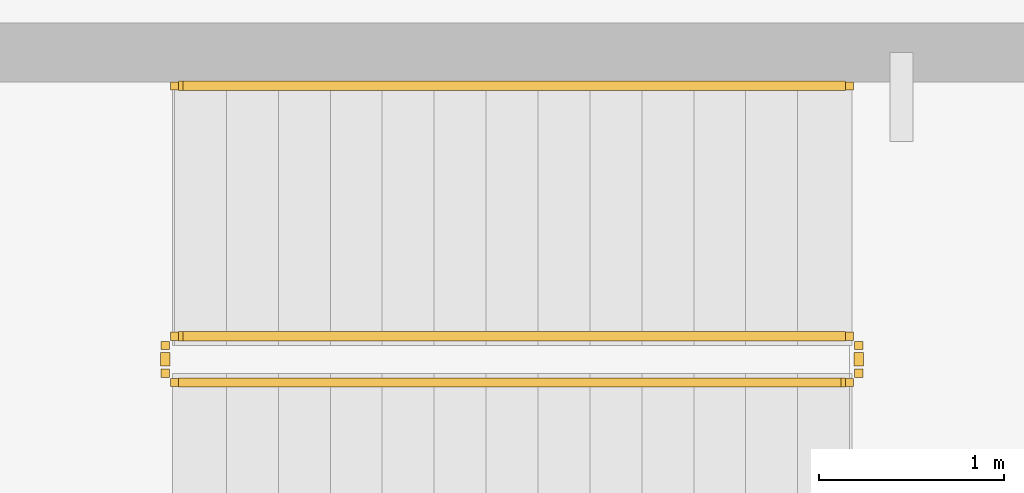
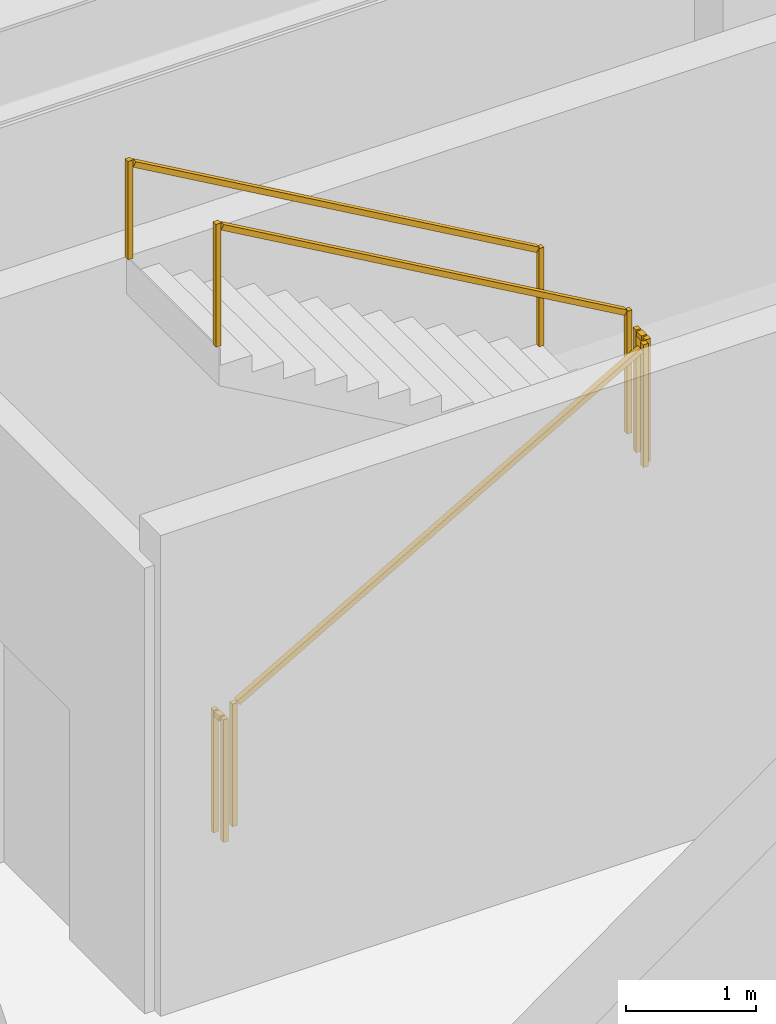
# One storey, part 15 of 18: 5 railings.
"""IFC4 building model written with IfcOpenShell, lengths in metres."""

from ifc_helpers import new_model, si_unit, direction, frame, origin, origin_2d, place, context, subcontext, project, spatial, rectangle, extrude, material, type_object, element, save


model = new_model("IFC4")

# Units and contexts
model_context = context("Model", 3, precision=1e-05, world=origin(), true_north=direction((0.0, 1.0)))
body_context = subcontext(model_context, "Body", "Model", "MODEL_VIEW")
ifc_project = project(units=[si_unit("LENGTHUNIT", "METRE"), si_unit("AREAUNIT", "SQUARE_METRE"), si_unit("VOLUMEUNIT", "CUBIC_METRE"), si_unit("PLANEANGLEUNIT", "RADIAN"), si_unit("MASSUNIT", "GRAM", prefix="KILO")], contexts=[model_context])

# Site, building, storey
site_placement = place(None, origin())
site = spatial("IfcSite", under=ifc_project, at=site_placement, CompositionType="ELEMENT")
building_placement = place(site_placement, origin())
building = spatial("IfcBuilding", under=site, at=building_placement, Name="Yunling Apex Tower", CompositionType="ELEMENT")
storey_placement = place(building_placement, origin())
storey = spatial("IfcBuildingStorey", under=building, at=storey_placement, Name="L01", CompositionType="ELEMENT", Elevation=0.0)

# Railings
ifc_material_1 = material(Name="Steel Q355B", Category="steel")
railing_type_1 = type_object("IfcRailingType", Name="RL-GRD-1150", PredefinedType="GUARDRAIL", material=ifc_material_1)
railing_1_placement = place(storey_placement, frame((-30.050048828125, 24.199951171875, 0.16064453125)))
element("IfcRailing", 1, at=railing_1_placement, inside=storey, type_object=railing_type_1, Name="L01 ST-G1 stair guard 1", PredefinedType="GUARDRAIL", context=body_context, shape_type="SweptSolid", body=[
    extrude(rectangle(XDim=0.0439453125, YDim=0.0439453125, at=origin_2d()), origin(), (0.0, 0.0, 1.0), 1.14990234375),
    extrude(rectangle(XDim=0.0439453125, YDim=0.0439453125, at=origin_2d()), frame((3.64013671875, 0.0, 2.08935546875)), (0.0, 0.0, 1.0), 1.14990234375),
    extrude(rectangle(XDim=0.050048828125, YDim=0.050048828125, at=origin_2d()), frame((0.033203125, 0.0, 1.14404296875), z_axis=(0.867289372828, 0.0, 0.497804322781), x_axis=(0.0, 1.0, 0.0)), (0.0, 0.0, 1.0), 4.120361328125),
])
railing_2_placement = place(storey_placement, frame((-26.360107421875, 24.25, 2.25)))
element("IfcRailing", 2, at=railing_2_placement, inside=storey, type_object=railing_type_1, Name="L01 ST-G1 stair guard 2", PredefinedType="GUARDRAIL", context=body_context, shape_type="SweptSolid", body=[
    extrude(rectangle(XDim=0.0439453125, YDim=0.0439453125, at=origin_2d()), origin(), (0.0, 0.0, 1.0), 1.14990234375),
    extrude(rectangle(XDim=0.0439453125, YDim=0.0439453125, at=origin_2d()), frame((0.0, 0.14990234375, 0.0)), (0.0, 0.0, 1.0), 1.14990234375),
    extrude(rectangle(XDim=0.050048828125, YDim=0.050048828125, at=origin_2d()), frame((0.0, 0.038330078125, 1.125), z_axis=(0.0, 1.0, 0.0), x_axis=(-1.0, 0.0, 0.0)), (0.0, 0.0, 1.0), 0.0732421875),
])
railing_3_placement = place(storey_placement, frame((-26.409912109375, 24.449951171875, 2.41064453125)))
element("IfcRailing", 3, at=railing_3_placement, inside=storey, type_object=railing_type_1, Name="L01 ST-G1 stair guard 3", PredefinedType="GUARDRAIL", context=body_context, shape_type="SweptSolid", body=[
    extrude(rectangle(XDim=0.0439453125, YDim=0.0439453125, at=origin_2d()), origin(), (0.0, 0.0, 1.0), 1.14990234375),
    extrude(rectangle(XDim=0.0439453125, YDim=0.0439453125, at=origin_2d()), frame((-3.64013671875, 0.0, 2.08935546875)), (0.0, 0.0, 1.0), 1.14990234375),
    extrude(rectangle(XDim=0.050048828125, YDim=0.050048828125, at=origin_2d()), frame((-0.033203125, 0.0, 1.14404296875), z_axis=(-0.867289372828, 0.0, 0.497804322781), x_axis=(0.0, -1.0, 0.0)), (0.0, 0.0, 1.0), 4.120361328125),
])
railing_4_placement = place(storey_placement, frame((-30.10009765625, 24.25, 0.0)))
element("IfcRailing", 4, at=railing_4_placement, inside=storey, type_object=railing_type_1, Name="L01 ST-G1 stair guard 4", PredefinedType="GUARDRAIL", context=body_context, shape_type="SweptSolid", body=[
    extrude(rectangle(XDim=0.0439453125, YDim=0.0439453125, at=origin_2d()), origin(), (0.0, 0.0, 1.0), 1.14990234375),
    extrude(rectangle(XDim=0.0439453125, YDim=0.0439453125, at=origin_2d()), frame((0.0, 0.14990234375, 0.0)), (0.0, 0.0, 1.0), 1.14990234375),
    extrude(rectangle(XDim=0.050048828125, YDim=0.050048828125, at=origin_2d()), frame((0.0, 0.038330078125, 1.125), z_axis=(0.0, 1.0, 0.0), x_axis=(-1.0, 0.0, 0.0)), (0.0, 0.0, 1.0), 0.0732421875),
])
ifc_material_2 = material(Name="Silver anodised aluminium", Category="aluminium")
railing_type_2 = type_object("IfcRailingType", Name="RL-HND-900", PredefinedType="HANDRAIL", material=ifc_material_2)
railing_5_placement = place(storey_placement, frame((-26.409912109375, 25.800048828125, 2.41064453125)))
element("IfcRailing", 5, at=railing_5_placement, inside=storey, type_object=railing_type_2, Name="L01 ST-G1 stair handrail 2", PredefinedType="HANDRAIL", context=body_context, shape_type="SweptSolid", body=[
    extrude(rectangle(XDim=0.0439453125, YDim=0.0439453125, at=origin_2d()), origin(), (0.0, 0.0, 1.0), 0.919921875),
    extrude(rectangle(XDim=0.0439453125, YDim=0.0439453125, at=origin_2d()), frame((-3.64013671875, 0.0, 2.08935546875)), (0.0, 0.0, 1.0), 0.919921875),
    extrude(rectangle(XDim=0.050048828125, YDim=0.050048828125, at=origin_2d()), frame((-0.033203125, 0.0, 0.9140625), z_axis=(-0.867289372828, 0.0, 0.497804322781), x_axis=(0.0, -1.0, 0.0)), (0.0, 0.0, 1.0), 4.120361328125),
])

save(model, "model.ifc")
